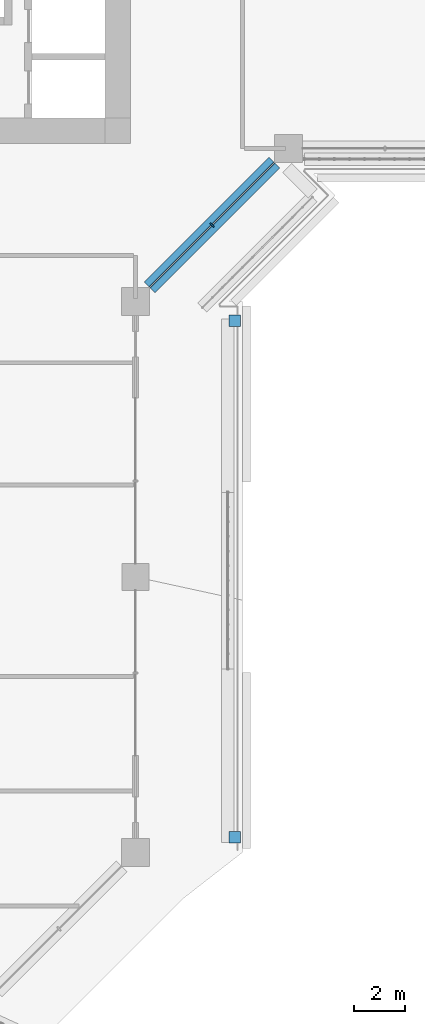
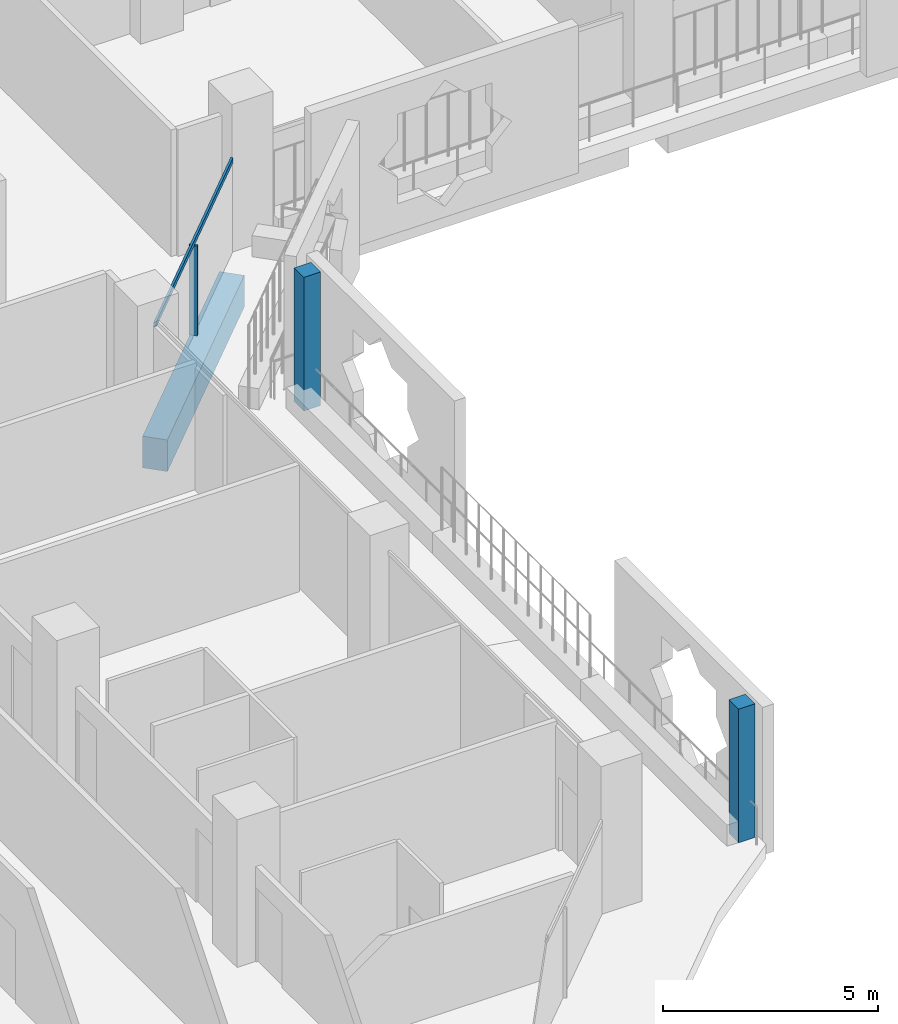
# One storey, part 4 of 25: 4 members, 1 beam, 2 elements without a shape of their own.
"""IFC4 building model written with IfcOpenShell, lengths in metres."""

import ifcopenshell
import ifcopenshell.guid

model = None  # the IFC model being written
_history = None  # IfcOwnerHistory: only IFC2X3 demands one
_inside = {}  # id of a spatial element -> (the spatial element, [elements in it])
_under = {}  # id of a project, library or spatial element -> (it, [spatial elements below it])
_declared = {}  # id of a project -> (the project, [libraries it declares])
_typed = {}  # id of a type object -> (the type object, [elements of that type])
_made_of = {}  # id of a material, layer set ... -> (it, [elements and type objects made of it])


def new_model(schema):
    """Start an empty IFC model of exactly this schema.

    Asked for "IFC4X3", IfcOpenShell would pick the latest addendum, in which some entities
    have other attributes; the version numbers below select the first issue.
    IFC2X3 requires an IfcOwnerHistory on every rooted entity: one is made here for all.
    """
    global model, _history
    if schema == "IFC4X3":
        model = ifcopenshell.file(schema_version=(4, 3, 0, 0))
    else:
        model = ifcopenshell.file(schema=schema)
    _inside.clear()
    _under.clear()
    _declared.clear()
    _typed.clear()
    _made_of.clear()
    _history = None
    if model.schema == "IFC2X3":
        org = make("IfcOrganization", Name="unknown")
        user = make(
            "IfcPersonAndOrganization",
            ThePerson=make("IfcPerson", FamilyName="unknown"),
            TheOrganization=org,
        )
        app = make(
            "IfcApplication",
            ApplicationDeveloper=org,
            Version="unknown",
            ApplicationFullName="unknown",
            ApplicationIdentifier="unknown",
        )
        _history = make(
            "IfcOwnerHistory",
            OwningUser=user,
            OwningApplication=app,
            ChangeAction="ADDED",
            CreationDate=0,
        )
    return model


def make(cls, **values):
    """One entity of the class cls with the attributes given. An attribute that is None is left unset."""
    return model.create_entity(
        cls, **{name: value for name, value in values.items() if value is not None}
    )


def rooted(cls, **values):
    """An entity with a GlobalId (a new one), such as an element, a storey or a relation."""
    return make(cls, GlobalId=ifcopenshell.guid.new(), OwnerHistory=_history, **values)


def si_unit(unit_type, name, prefix=None):
    """IfcSIUnit, for example si_unit("LENGTHUNIT", "METRE", prefix="MILLI")."""
    return make("IfcSIUnit", UnitType=unit_type, Prefix=prefix, Name=name)


def assignment(units):
    """IfcUnitAssignment: the units of a project."""
    return None if units is None else make("IfcUnitAssignment", Units=units)


def point(xyz):
    """IfcCartesianPoint."""
    return None if xyz is None else make("IfcCartesianPoint", Coordinates=xyz)


def direction(xyz):
    """IfcDirection."""
    return None if xyz is None else make("IfcDirection", DirectionRatios=xyz)


def frame(location, z_axis=None, x_axis=None):
    """IfcAxis2Placement3D, a coordinate frame: its origin and axes. An axis left out is left unset."""
    return make(
        "IfcAxis2Placement3D",
        Location=point(location),
        Axis=direction(z_axis),
        RefDirection=direction(x_axis),
    )


def frame_2d(location, x_axis=None):
    """IfcAxis2Placement2D, a coordinate frame in the plane: its origin and x axis."""
    return make(
        "IfcAxis2Placement2D", Location=point(location), RefDirection=direction(x_axis)
    )


def origin():
    """The frame at (0, 0, 0) with its axes left unset."""
    return frame((0.0, 0.0, 0.0))


def origin_2d():
    """The frame at (0, 0) in the plane with its x axis left unset."""
    return frame_2d((0.0, 0.0))


def place(relative_to, where):
    """IfcLocalPlacement: puts the frame where relative to a parent placement (None: the world)."""
    return make(
        "IfcLocalPlacement", PlacementRelTo=relative_to, RelativePlacement=where
    )


def context(
    kind, dimensions, precision=None, world=None, true_north=None, identifier=None
):
    """IfcGeometricRepresentationContext, for example the 3D "Model" context."""
    return make(
        "IfcGeometricRepresentationContext",
        ContextIdentifier=identifier,
        ContextType=kind,
        CoordinateSpaceDimension=dimensions,
        Precision=precision,
        WorldCoordinateSystem=world,
        TrueNorth=true_north,
    )


def subcontext(parent, identifier, kind, view, scale=None):
    """IfcGeometricRepresentationSubContext, for example "Body" below "Model"."""
    return make(
        "IfcGeometricRepresentationSubContext",
        ContextIdentifier=identifier,
        ContextType=kind,
        ParentContext=parent,
        TargetScale=scale,
        TargetView=view,
    )


def project(units=None, contexts=None):
    """IfcProject with its units and contexts."""
    return rooted(
        "IfcProject",
        Name="project",
        RepresentationContexts=contexts,
        UnitsInContext=assignment(units),
    )


def spatial(cls, under=None, at=None, **own):
    """A site, building, storey or space (cls), placed at a placement, below another one or the project."""
    s = rooted(cls, ObjectPlacement=at, **own)
    if under is not None:
        _under.setdefault(under.id(), (under, []))[1].append(s)
    return s


def profile(cls, at=None, kind="AREA", **sizes):
    """A parametric profile (cls). Its sizes go by their IFC names, for example OverallWidth=200.0."""
    return make(cls, ProfileType=kind, Position=at, **sizes)


def rectangle(**sizes):
    """IfcRectangleProfileDef."""
    return profile("IfcRectangleProfileDef", **sizes)


def extrude(swept, where, along, depth):
    """IfcExtrudedAreaSolid: the profile swept, set in the frame where, extruded along a direction by depth."""
    return make(
        "IfcExtrudedAreaSolid",
        SweptArea=swept,
        Position=where,
        ExtrudedDirection=direction(along),
        Depth=depth,
    )


def shape(context_of_items, identifier, shape_type, items):
    """IfcShapeRepresentation: the items that make up one representation, for example the "Body"."""
    return make(
        "IfcShapeRepresentation",
        ContextOfItems=context_of_items,
        RepresentationIdentifier=identifier,
        RepresentationType=shape_type,
        Items=items,
    )


def material(Name=None, Category=None):
    """IfcMaterial."""
    return make("IfcMaterial", Name=Name, Category=Category)


def layer(
    of_material, thickness, ventilated=None, Name=None, Category=None, Priority=None
):
    """IfcMaterialLayer: one layer of a wall or slab, of a material (None: an air gap)."""
    return make(
        "IfcMaterialLayer",
        Material=of_material,
        LayerThickness=thickness,
        IsVentilated=ventilated,
        Name=Name,
        Category=Category,
        Priority=Priority,
    )


def layer_set(layers, Name=None):
    """IfcMaterialLayerSet."""
    return make("IfcMaterialLayerSet", MaterialLayers=layers, LayerSetName=Name)


def material_profile(
    of_material, cross_section, Name=None, Category=None, Priority=None
):
    """IfcMaterialProfile: a cross section and its material."""
    return make(
        "IfcMaterialProfile",
        Name=Name,
        Material=of_material,
        Profile=cross_section,
        Priority=Priority,
        Category=Category,
    )


def profile_set(profiles, Name=None, composite=None):
    """IfcMaterialProfileSet."""
    return make(
        "IfcMaterialProfileSet",
        Name=Name,
        MaterialProfiles=profiles,
        CompositeProfile=composite,
    )


def made_of(thing, what):
    """Note that an element or type object is made of a material, layer set ...; save() writes the relation."""
    if what is not None:
        _made_of.setdefault(what.id(), (what, []))[1].append(thing)
    return thing


def type_object(cls, material=None, **own):
    """A type object (cls), such as IfcWallType, which elements share."""
    return made_of(rooted(cls, **own), material)


def element(
    cls,
    number,
    at=None,
    inside=None,
    cuts=None,
    type_object=None,
    material=None,
    context=None,
    identifier="Body",
    shape_type=None,
    held_by="IfcProductDefinitionShape",
    body=None,
    shapes=None,
    **own,
):
    """One element of the class cls, such as IfcWall. Its Tag is "e" and its number.

    at: its placement. inside: the storey or other place that contains it. cuts: it is an
    opening in that element (IfcRelVoidsElement). A single representation is given by context,
    identifier, shape_type and body (its items); several are given by shapes. held_by: the class
    of the entity that holds the representations. save() writes the other relations.
    """
    e = rooted(cls, Tag="e%d" % number, ObjectPlacement=at, **own)
    if body is not None:
        shapes = [shape(context, identifier, shape_type, body)]
    if shapes is not None:
        e.Representation = make(held_by, Representations=shapes)
    if inside is not None:
        _inside.setdefault(inside.id(), (inside, []))[1].append(e)
    if cuts is not None:
        rooted(
            "IfcRelVoidsElement", RelatingBuildingElement=cuts, RelatedOpeningElement=e
        )
    if type_object is not None:
        _typed.setdefault(type_object.id(), (type_object, []))[1].append(e)
    return made_of(e, material)


def aggregate(whole, parts):
    """IfcRelAggregates: a whole, such as a stair, and the parts it consists of."""
    return rooted("IfcRelAggregates", RelatingObject=whole, RelatedObjects=parts)


def save(model, path):
    """Write the relations noted so far, then the file.

    IfcRelAggregates (storeys below a building ...), IfcRelContainedInSpatialStructure (elements
    in a storey), IfcRelDefinesByType, IfcRelAssociatesMaterial and IfcRelDeclares: one each for
    every whole, place, type object, material and project.
    """
    for whole, parts in _under.values():
        aggregate(whole, parts)
    for where, things in _inside.values():
        rooted(
            "IfcRelContainedInSpatialStructure",
            RelatedElements=things,
            RelatingStructure=where,
        )
    for kind, things in _typed.values():
        rooted("IfcRelDefinesByType", RelatedObjects=things, RelatingType=kind)
    for what, things in _made_of.values():
        rooted("IfcRelAssociatesMaterial", RelatedObjects=things, RelatingMaterial=what)
    for by, libraries in _declared.values():
        rooted("IfcRelDeclares", RelatingContext=by, RelatedDefinitions=libraries)
    model.write(path)


model = new_model("IFC4")

# Units and contexts
model_context = context("Model", 3, precision=1e-05, world=origin(), true_north=direction((0.0, 1.0)))
body_context = subcontext(model_context, "Body", "Model", "MODEL_VIEW")
ifc_project = project(units=[si_unit("LENGTHUNIT", "METRE"), si_unit("AREAUNIT", "SQUARE_METRE"), si_unit("VOLUMEUNIT", "CUBIC_METRE"), si_unit("PLANEANGLEUNIT", "RADIAN"), si_unit("MASSUNIT", "GRAM", prefix="KILO")], contexts=[model_context])

# Site, building, storey
site_placement = place(None, origin())
site = spatial("IfcSite", under=ifc_project, at=site_placement, CompositionType="ELEMENT")
building_placement = place(site_placement, origin())
building = spatial("IfcBuilding", under=site, at=building_placement, Name="Kawkab Arch Medical Tower", CompositionType="ELEMENT")
storey_placement = place(building_placement, frame((0.0, 0.0, 124.0)))
storey = spatial("IfcBuildingStorey", under=building, at=storey_placement, Name="L28", CompositionType="ELEMENT", Elevation=124.0)

# Curtain wall, members
ifc_material_1 = material(Name="Bronze anodised aluminium curtain wall frame", Category="aluminium")
ifc_layer_1 = layer(ifc_material_1, 0.159912109375)
ifc_layer_set_1 = layer_set([ifc_layer_1], Name="Bronze anodised aluminium curtain wall frame")
curtain_wall_type_1 = type_object("IfcCurtainWallType", Name="CW2 chamfer curtain wall", PredefinedType="NOTDEFINED", material=ifc_layer_set_1)
placement = place(storey_placement, origin())
curtain_wall_1 = element("IfcCurtainWall", 1, at=placement, inside=storey, type_object=curtain_wall_type_1, Name="CW2 Chamfer curtain wall R06", PredefinedType="NOTDEFINED")
ifc_material_2 = material(Name="Bronze anodised aluminium curtain wall frame", Category="aluminium")
ifc_material_profile_1 = material_profile(ifc_material_2, rectangle(XDim=0.199951171875, YDim=0.06005859375, at=origin_2d()), Name="AL 60x200")
ifc_profile_set_1 = profile_set([ifc_material_profile_1], Name="Bronze anodised aluminium curtain wall frame")
member_type_1 = type_object("IfcMemberType", Name="CW2 mullion 60 x 200", PredefinedType="MULLION", material=ifc_profile_set_1)
member_1_placement = place(storey_placement, frame((28.199951171875, -28.199951171875, 0.0), z_axis=(0.0, 0.0, 1.0), x_axis=(-0.707106781187, 0.707106781187, 0.0)))
member_1 = element("IfcMember", 2, at=member_1_placement, type_object=member_type_1, Name="CW2 mullion 1.1", PredefinedType="MULLION", context=body_context, shape_type="SweptSolid", body=[
    extrude(rectangle(XDim=0.199951171875, YDim=0.06005859375, at=origin_2d()), origin(), (0.0, 0.0, 1.0), 2.56005859375),
])
ifc_material_3 = material(Name="Bronze anodised aluminium curtain wall frame", Category="aluminium")
ifc_material_profile_2 = material_profile(ifc_material_3, rectangle(XDim=0.06005859375, YDim=0.139892578125, at=origin_2d()), Name="AL 60x140")
ifc_profile_set_2 = profile_set([ifc_material_profile_2], Name="Bronze anodised aluminium curtain wall frame")
member_type_2 = type_object("IfcMemberType", Name="CW2 transom 140 x 60", PredefinedType="USERDEFINED", material=ifc_profile_set_2)
member_2_placement = place(storey_placement, frame((25.75, -30.64990234375, 2.6298828125), z_axis=(0.707106781187, 0.707106781187, 0.0), x_axis=(-0.707106781187, 0.707106781187, 0.0)))
member_2 = element("IfcMember", 3, at=member_2_placement, type_object=member_type_2, Name="CW2 transom 1", ObjectType="TRANSOM", PredefinedType="USERDEFINED", context=body_context, shape_type="SweptSolid", body=[
    extrude(rectangle(XDim=0.06005859375, YDim=0.139892578125, at=origin_2d()), origin(), (0.0, 0.0, 1.0), 6.929443359375),
])
aggregate(curtain_wall_1, [member_2, member_1])

ifc_material_4 = material(Name="Bronze anodised aluminium climber frame, planted", Category="aluminium")
ifc_layer_2 = layer(ifc_material_4, 0.449951171875)
ifc_layer_set_2 = layer_set([ifc_layer_2], Name="Bronze anodised aluminium climber frame, planted")
curtain_wall_type_2 = type_object("IfcCurtainWallType", Name="Planted climber frame", PredefinedType="NOTDEFINED", material=ifc_layer_set_2)
curtain_wall_2 = element("IfcCurtainWall", 4, at=placement, inside=storey, type_object=curtain_wall_type_2, Name="Planted climber frame L28", PredefinedType="NOTDEFINED")
ifc_material_5 = material(Name="Bronze anodised aluminium climber frame, planted", Category="aluminium")
ifc_material_profile_3 = material_profile(ifc_material_5, rectangle(XDim=0.449951171875, YDim=0.449951171875, at=origin_2d()), Name="Post 450x450")
ifc_profile_set_3 = profile_set([ifc_material_profile_3], Name="Bronze anodised aluminium climber frame, planted")
member_type_3 = type_object("IfcMemberType", Name="Planted climber post 450 x 450", PredefinedType="MULLION", material=ifc_profile_set_3)
member_3_placement = place(storey_placement, frame((29.10009765625, -31.949951171875, 0.0), z_axis=(0.0, 0.0, 1.0), x_axis=(1.0, 0.0, 0.0)))
member_3 = element("IfcMember", 5, at=member_3_placement, type_object=member_type_3, Name="Planted climber post L28.LOG-01-01.5", PredefinedType="MULLION", context=body_context, shape_type="SweptSolid", body=[
    extrude(rectangle(XDim=0.449951171875, YDim=0.449951171875, at=origin_2d()), origin(), (0.0, 0.0, 1.0), 3.800048828125),
])
member_4_placement = place(storey_placement, frame((29.10009765625, -52.202880859375, 0.0), z_axis=(0.0, 0.0, 1.0), x_axis=(1.0, 0.0, 0.0)))
member_4 = element("IfcMember", 6, at=member_4_placement, type_object=member_type_3, Name="Planted climber post L28.LOG-01-01.6", PredefinedType="MULLION", context=body_context, shape_type="SweptSolid", body=[
    extrude(rectangle(XDim=0.449951171875, YDim=0.449951171875, at=origin_2d()), origin(), (0.0, 0.0, 1.0), 3.800048828125),
])
aggregate(curtain_wall_2, [member_3, member_4])

# Beam
ifc_material_6 = material(Name="Concrete C55/67", Category="concrete")
ifc_material_profile_4 = material_profile(ifc_material_6, rectangle(XDim=0.60009765625, YDim=0.89990234375, at=origin_2d()), Name="RC 600x900")
ifc_profile_set_4 = profile_set([ifc_material_profile_4], Name="Concrete C55/67")
beam_type = type_object("IfcBeamType", Name="RC 600x900 beam C55/67", PredefinedType="BEAM", material=ifc_profile_set_4)
beam_placement = place(storey_placement, frame((30.64990234375, -25.75, -1.050048828125), z_axis=(-0.707106781187, -0.707106781187, 0.0), x_axis=(0.707106781187, -0.707106781187, 0.0)))
element("IfcBeam", 7, at=beam_placement, inside=storey, type_object=beam_type, Name="Overhang edge beam L28-06", PredefinedType="BEAM", context=body_context, shape_type="SweptSolid", body=[
    extrude(rectangle(XDim=0.60009765625, YDim=0.89990234375, at=origin_2d()), origin(), (0.0, 0.0, 1.0), 6.929443359375),
])

save(model, "model.ifc")
